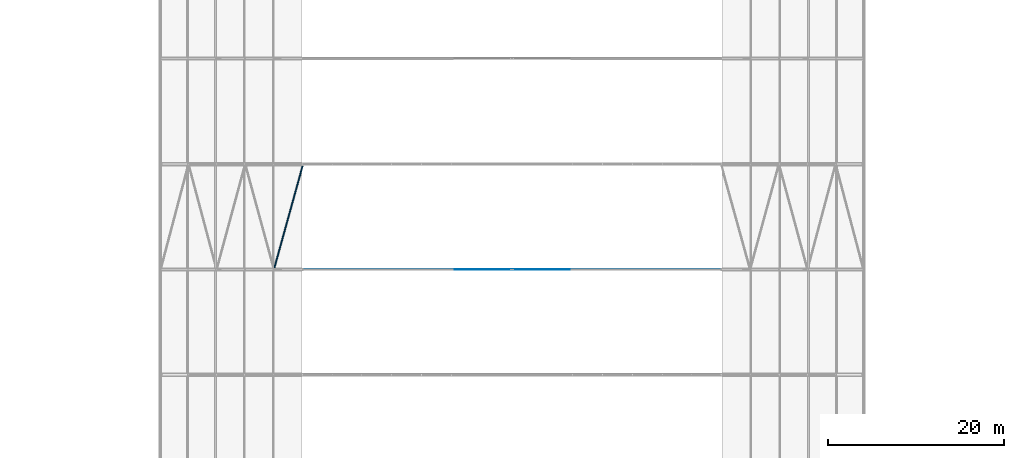
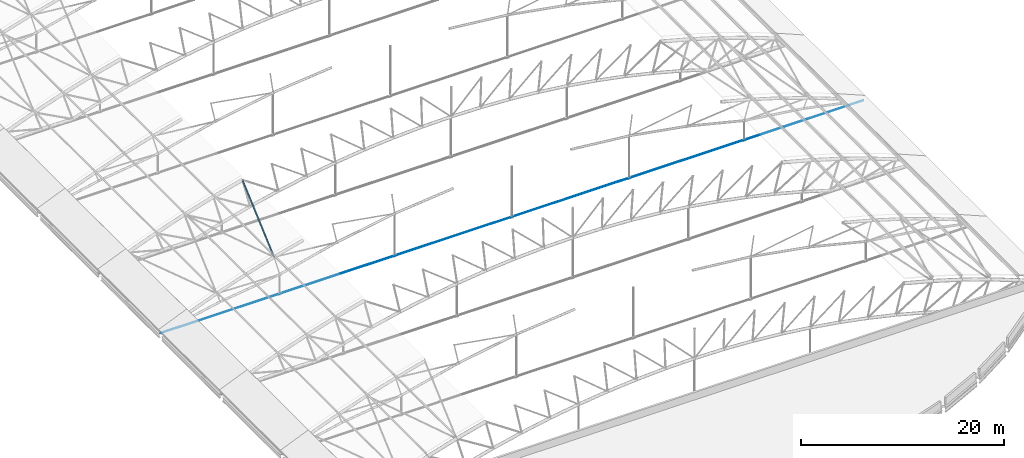
# One storey, part 37 of 321: 2 members.
"""IFC4 building model written with IfcOpenShell, lengths in metres."""

from ifc_helpers import new_model, si_unit, direction, frame, origin, origin_2d, place, context, subcontext, project, spatial, circle, hollow_circle, extrude, material, material_profile, profile_set, type_object, element, save


model = new_model("IFC4")

# Units and contexts
model_context = context("Model", 3, precision=1e-05, world=origin(), true_north=direction((0.0, 1.0)))
body_context = subcontext(model_context, "Body", "Model", "MODEL_VIEW")
ifc_project = project(units=[si_unit("LENGTHUNIT", "METRE"), si_unit("AREAUNIT", "SQUARE_METRE"), si_unit("VOLUMEUNIT", "CUBIC_METRE"), si_unit("PLANEANGLEUNIT", "RADIAN"), si_unit("MASSUNIT", "GRAM", prefix="KILO")], contexts=[model_context])

# Site, building, storey
site_placement = place(None, origin())
site = spatial("IfcSite", under=ifc_project, at=site_placement, CompositionType="ELEMENT")
building_placement = place(site_placement, origin())
building = spatial("IfcBuilding", under=site, at=building_placement, Name="Ravi Spectrum Wholesale Market", CompositionType="ELEMENT")
storey_placement = place(building_placement, frame((0.0, 0.0, 10.800048828125)))
storey = spatial("IfcBuildingStorey", under=building, at=storey_placement, Name="L02", CompositionType="ELEMENT", Elevation=10.800048828125)

# Members
ifc_material_1 = material(Name="Steel S355", Category="steel")
ifc_material_profile_1 = material_profile(ifc_material_1, hollow_circle(Radius=0.096923828125, WallThickness=0.00634765625, at=origin_2d()))
ifc_profile_set_1 = profile_set([ifc_material_profile_1], Name="Steel S355")
member_type_1 = type_object("IfcMemberType", Name="CHS 193.7x6.3 brace", PredefinedType="BRACE", material=ifc_profile_set_1)
member_1_placement = place(storey_placement, frame((42.896240234375, 66.0, 4.661376953125), z_axis=(0.26624914117, 0.961478053543, 0.068347255841), x_axis=(-0.963731651121, 0.266873199532, 0.0)))
element("IfcMember", 1, at=member_1_placement, inside=storey, type_object=member_type_1, Name="H1-MB-L02-1612", PredefinedType="BRACE", context=body_context, shape_type="SweptSolid", body=[
    extrude(hollow_circle(Radius=0.096923828125, WallThickness=0.00634765625, at=origin_2d()), origin(), (0.0, 0.0, 1.0), 12.480712890625),
])
ifc_material_2 = material(Name="Steel S460", Category="steel")
ifc_material_profile_2 = material_profile(ifc_material_2, circle(Radius=0.034912109375, at=origin_2d()))
ifc_profile_set_2 = profile_set([ifc_material_profile_2], Name="Steel S460")
member_type_2 = type_object("IfcMemberType", Name="ROD 70 tie", PredefinedType="BRACE", material=ifc_profile_set_2)
member_2_placement = place(storey_placement, frame((29.98974609375, 66.0, 0.023193359375), z_axis=(1.0, 0.0, 0.0), x_axis=(0.0, 1.0, 0.0)))
element("IfcMember", 2, at=member_2_placement, inside=storey, type_object=member_type_2, Name="H1-MB-L02-319", PredefinedType="BRACE", context=body_context, shape_type="SweptSolid", body=[
    extrude(circle(Radius=0.034912109375, at=origin_2d()), origin(), (0.0, 0.0, 1.0), 80.0205078125),
])

save(model, "model.ifc")
